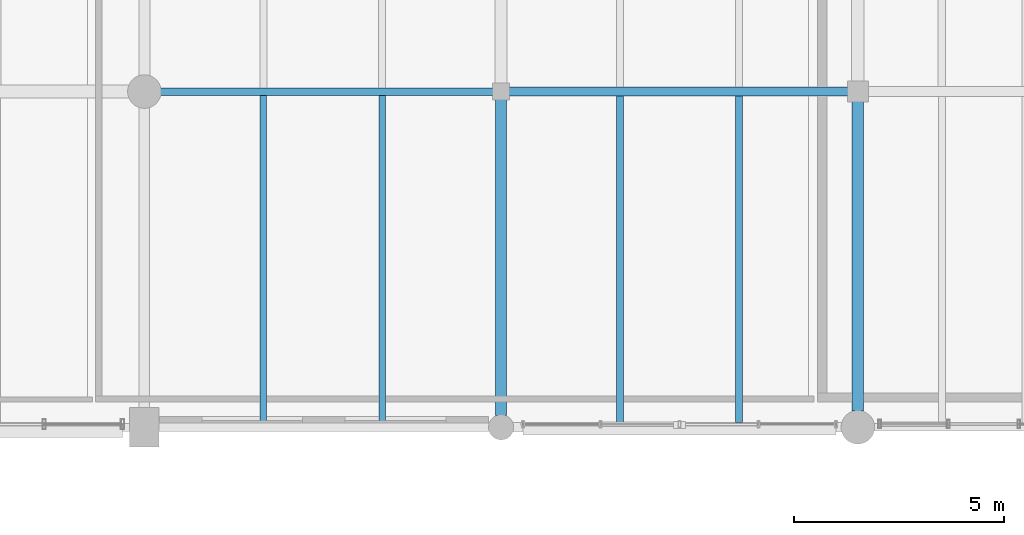
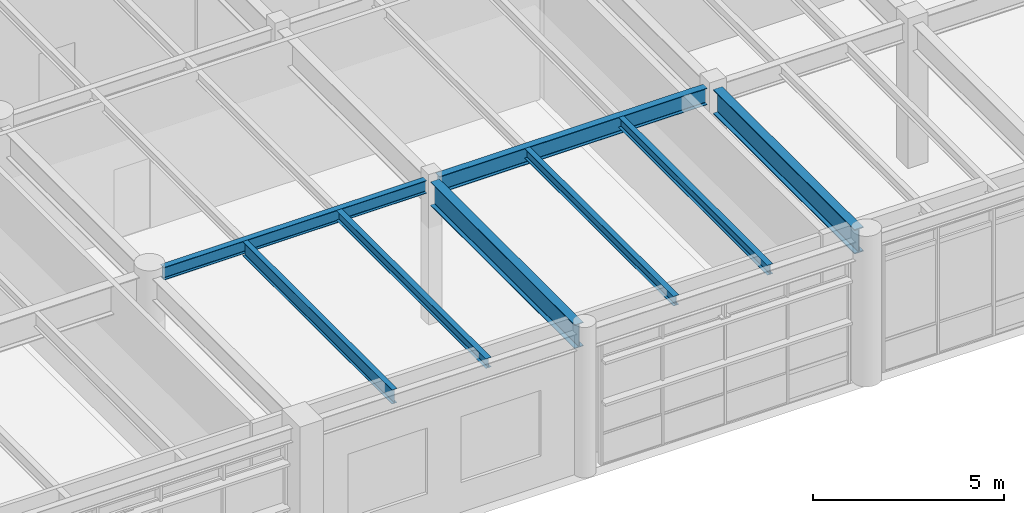
# One storey, part 139 of 200: 8 beams.
"""IFC4 building model written with IfcOpenShell, lengths in metres."""

import ifcopenshell
import ifcopenshell.guid

model = None  # the IFC model being written
_history = None  # IfcOwnerHistory: only IFC2X3 demands one
_inside = {}  # id of a spatial element -> (the spatial element, [elements in it])
_under = {}  # id of a project, library or spatial element -> (it, [spatial elements below it])
_declared = {}  # id of a project -> (the project, [libraries it declares])
_typed = {}  # id of a type object -> (the type object, [elements of that type])
_made_of = {}  # id of a material, layer set ... -> (it, [elements and type objects made of it])


def new_model(schema):
    """Start an empty IFC model of exactly this schema.

    Asked for "IFC4X3", IfcOpenShell would pick the latest addendum, in which some entities
    have other attributes; the version numbers below select the first issue.
    IFC2X3 requires an IfcOwnerHistory on every rooted entity: one is made here for all.
    """
    global model, _history
    if schema == "IFC4X3":
        model = ifcopenshell.file(schema_version=(4, 3, 0, 0))
    else:
        model = ifcopenshell.file(schema=schema)
    _inside.clear()
    _under.clear()
    _declared.clear()
    _typed.clear()
    _made_of.clear()
    _history = None
    if model.schema == "IFC2X3":
        org = make("IfcOrganization", Name="unknown")
        user = make(
            "IfcPersonAndOrganization",
            ThePerson=make("IfcPerson", FamilyName="unknown"),
            TheOrganization=org,
        )
        app = make(
            "IfcApplication",
            ApplicationDeveloper=org,
            Version="unknown",
            ApplicationFullName="unknown",
            ApplicationIdentifier="unknown",
        )
        _history = make(
            "IfcOwnerHistory",
            OwningUser=user,
            OwningApplication=app,
            ChangeAction="ADDED",
            CreationDate=0,
        )
    return model


def make(cls, **values):
    """One entity of the class cls with the attributes given. An attribute that is None is left unset."""
    return model.create_entity(
        cls, **{name: value for name, value in values.items() if value is not None}
    )


def rooted(cls, **values):
    """An entity with a GlobalId (a new one), such as an element, a storey or a relation."""
    return make(cls, GlobalId=ifcopenshell.guid.new(), OwnerHistory=_history, **values)


def si_unit(unit_type, name, prefix=None):
    """IfcSIUnit, for example si_unit("LENGTHUNIT", "METRE", prefix="MILLI")."""
    return make("IfcSIUnit", UnitType=unit_type, Prefix=prefix, Name=name)


def assignment(units):
    """IfcUnitAssignment: the units of a project."""
    return None if units is None else make("IfcUnitAssignment", Units=units)


def point(xyz):
    """IfcCartesianPoint."""
    return None if xyz is None else make("IfcCartesianPoint", Coordinates=xyz)


def direction(xyz):
    """IfcDirection."""
    return None if xyz is None else make("IfcDirection", DirectionRatios=xyz)


def frame(location, z_axis=None, x_axis=None):
    """IfcAxis2Placement3D, a coordinate frame: its origin and axes. An axis left out is left unset."""
    return make(
        "IfcAxis2Placement3D",
        Location=point(location),
        Axis=direction(z_axis),
        RefDirection=direction(x_axis),
    )


def frame_2d(location, x_axis=None):
    """IfcAxis2Placement2D, a coordinate frame in the plane: its origin and x axis."""
    return make(
        "IfcAxis2Placement2D", Location=point(location), RefDirection=direction(x_axis)
    )


def origin():
    """The frame at (0, 0, 0) with its axes left unset."""
    return frame((0.0, 0.0, 0.0))


def origin_2d():
    """The frame at (0, 0) in the plane with its x axis left unset."""
    return frame_2d((0.0, 0.0))


def place(relative_to, where):
    """IfcLocalPlacement: puts the frame where relative to a parent placement (None: the world)."""
    return make(
        "IfcLocalPlacement", PlacementRelTo=relative_to, RelativePlacement=where
    )


def context(
    kind, dimensions, precision=None, world=None, true_north=None, identifier=None
):
    """IfcGeometricRepresentationContext, for example the 3D "Model" context."""
    return make(
        "IfcGeometricRepresentationContext",
        ContextIdentifier=identifier,
        ContextType=kind,
        CoordinateSpaceDimension=dimensions,
        Precision=precision,
        WorldCoordinateSystem=world,
        TrueNorth=true_north,
    )


def subcontext(parent, identifier, kind, view, scale=None):
    """IfcGeometricRepresentationSubContext, for example "Body" below "Model"."""
    return make(
        "IfcGeometricRepresentationSubContext",
        ContextIdentifier=identifier,
        ContextType=kind,
        ParentContext=parent,
        TargetScale=scale,
        TargetView=view,
    )


def project(units=None, contexts=None):
    """IfcProject with its units and contexts."""
    return rooted(
        "IfcProject",
        Name="project",
        RepresentationContexts=contexts,
        UnitsInContext=assignment(units),
    )


def spatial(cls, under=None, at=None, **own):
    """A site, building, storey or space (cls), placed at a placement, below another one or the project."""
    s = rooted(cls, ObjectPlacement=at, **own)
    if under is not None:
        _under.setdefault(under.id(), (under, []))[1].append(s)
    return s


def profile(cls, at=None, kind="AREA", **sizes):
    """A parametric profile (cls). Its sizes go by their IFC names, for example OverallWidth=200.0."""
    return make(cls, ProfileType=kind, Position=at, **sizes)


def i_section(**sizes):
    """IfcIShapeProfileDef."""
    return profile("IfcIShapeProfileDef", **sizes)


def extrude(swept, where, along, depth):
    """IfcExtrudedAreaSolid: the profile swept, set in the frame where, extruded along a direction by depth."""
    return make(
        "IfcExtrudedAreaSolid",
        SweptArea=swept,
        Position=where,
        ExtrudedDirection=direction(along),
        Depth=depth,
    )


def shape(context_of_items, identifier, shape_type, items):
    """IfcShapeRepresentation: the items that make up one representation, for example the "Body"."""
    return make(
        "IfcShapeRepresentation",
        ContextOfItems=context_of_items,
        RepresentationIdentifier=identifier,
        RepresentationType=shape_type,
        Items=items,
    )


def material(Name=None, Category=None):
    """IfcMaterial."""
    return make("IfcMaterial", Name=Name, Category=Category)


def material_profile(
    of_material, cross_section, Name=None, Category=None, Priority=None
):
    """IfcMaterialProfile: a cross section and its material."""
    return make(
        "IfcMaterialProfile",
        Name=Name,
        Material=of_material,
        Profile=cross_section,
        Priority=Priority,
        Category=Category,
    )


def profile_set(profiles, Name=None, composite=None):
    """IfcMaterialProfileSet."""
    return make(
        "IfcMaterialProfileSet",
        Name=Name,
        MaterialProfiles=profiles,
        CompositeProfile=composite,
    )


def made_of(thing, what):
    """Note that an element or type object is made of a material, layer set ...; save() writes the relation."""
    if what is not None:
        _made_of.setdefault(what.id(), (what, []))[1].append(thing)
    return thing


def type_object(cls, material=None, **own):
    """A type object (cls), such as IfcWallType, which elements share."""
    return made_of(rooted(cls, **own), material)


def element(
    cls,
    number,
    at=None,
    inside=None,
    cuts=None,
    type_object=None,
    material=None,
    context=None,
    identifier="Body",
    shape_type=None,
    held_by="IfcProductDefinitionShape",
    body=None,
    shapes=None,
    **own,
):
    """One element of the class cls, such as IfcWall. Its Tag is "e" and its number.

    at: its placement. inside: the storey or other place that contains it. cuts: it is an
    opening in that element (IfcRelVoidsElement). A single representation is given by context,
    identifier, shape_type and body (its items); several are given by shapes. held_by: the class
    of the entity that holds the representations. save() writes the other relations.
    """
    e = rooted(cls, Tag="e%d" % number, ObjectPlacement=at, **own)
    if body is not None:
        shapes = [shape(context, identifier, shape_type, body)]
    if shapes is not None:
        e.Representation = make(held_by, Representations=shapes)
    if inside is not None:
        _inside.setdefault(inside.id(), (inside, []))[1].append(e)
    if cuts is not None:
        rooted(
            "IfcRelVoidsElement", RelatingBuildingElement=cuts, RelatedOpeningElement=e
        )
    if type_object is not None:
        _typed.setdefault(type_object.id(), (type_object, []))[1].append(e)
    return made_of(e, material)


def aggregate(whole, parts):
    """IfcRelAggregates: a whole, such as a stair, and the parts it consists of."""
    return rooted("IfcRelAggregates", RelatingObject=whole, RelatedObjects=parts)


def save(model, path):
    """Write the relations noted so far, then the file.

    IfcRelAggregates (storeys below a building ...), IfcRelContainedInSpatialStructure (elements
    in a storey), IfcRelDefinesByType, IfcRelAssociatesMaterial and IfcRelDeclares: one each for
    every whole, place, type object, material and project.
    """
    for whole, parts in _under.values():
        aggregate(whole, parts)
    for where, things in _inside.values():
        rooted(
            "IfcRelContainedInSpatialStructure",
            RelatedElements=things,
            RelatingStructure=where,
        )
    for kind, things in _typed.values():
        rooted("IfcRelDefinesByType", RelatedObjects=things, RelatingType=kind)
    for what, things in _made_of.values():
        rooted("IfcRelAssociatesMaterial", RelatedObjects=things, RelatingMaterial=what)
    for by, libraries in _declared.values():
        rooted("IfcRelDeclares", RelatingContext=by, RelatedDefinitions=libraries)
    model.write(path)


model = new_model("IFC4")

# Units and contexts
model_context = context("Model", 3, precision=1e-05, world=origin(), true_north=direction((0.0, 1.0)))
body_context = subcontext(model_context, "Body", "Model", "MODEL_VIEW")
ifc_project = project(units=[si_unit("LENGTHUNIT", "METRE"), si_unit("AREAUNIT", "SQUARE_METRE"), si_unit("VOLUMEUNIT", "CUBIC_METRE"), si_unit("PLANEANGLEUNIT", "RADIAN"), si_unit("MASSUNIT", "GRAM", prefix="KILO"), si_unit("THERMODYNAMICTEMPERATUREUNIT", "KELVIN"), si_unit("POWERUNIT", "WATT")], contexts=[model_context])

# Site, building, storey
site_placement = place(None, origin())
site = spatial("IfcSite", under=ifc_project, at=site_placement, CompositionType="ELEMENT")
building_placement = place(site_placement, origin())
building = spatial("IfcBuilding", under=site, at=building_placement, Name="Tepalcoro Natatorium and Aquatics Centre", CompositionType="ELEMENT")
storey_placement = place(building_placement, frame((0.0, 0.0, 5.39990234375)))
storey = spatial("IfcBuildingStorey", under=building, at=storey_placement, Name="L01", CompositionType="ELEMENT", Elevation=5.39990234375)

# Beams
ifc_material = material(Name="Steel ASTM A992 Grade 50 (Fy 345 MPa)", Category="steel")
ifc_material_profile_1 = material_profile(ifc_material, i_section(OverallWidth=0.177978515625, OverallDepth=0.406005859375, WebThickness=0.008056640625, FlangeThickness=0.012939453125, FilletRadius=0.013916015625, at=origin_2d()), Name="W16X40")
ifc_profile_set_1 = profile_set([ifc_material_profile_1], Name="Steel ASTM A992 Grade 50 (Fy 345 MPa)")
beam_type_1 = type_object("IfcBeamType", Name="BM_W16x40", PredefinedType="BEAM", material=ifc_profile_set_1)
beam_1_placement = place(storey_placement, frame((142.385009765625, 94.0, 4.342041015625), z_axis=(1.0, 0.0, 0.0), x_axis=(0.0, 1.0, 0.0)))
element("IfcBeam", 1, at=beam_1_placement, inside=storey, type_object=beam_type_1, Name="V5 L01 Grid Girder X", PredefinedType="BEAM", context=body_context, shape_type="SweptSolid", body=[
    extrude(i_section(OverallWidth=0.177978515625, OverallDepth=0.406005859375, WebThickness=0.008056640625, FlangeThickness=0.012939453125, FilletRadius=0.013916015625, at=origin_2d()), origin(), (0.0, 0.0, 1.0), 7.929931640625),
])
ifc_material_profile_2 = material_profile(ifc_material, i_section(OverallWidth=0.2099609375, OverallDepth=0.532958984375, WebThickness=0.010009765625, FlangeThickness=0.01611328125, FilletRadius=0.013916015625, at=origin_2d()), Name="W21X62")
ifc_profile_set_2 = profile_set([ifc_material_profile_2], Name="Steel ASTM A992 Grade 50 (Fy 345 MPa)")
beam_type_2 = type_object("IfcBeamType", Name="BM_W21x62", PredefinedType="BEAM", material=ifc_profile_set_2)
beam_2_placement = place(storey_placement, frame((150.68505859375, 94.0, 4.278564453125), z_axis=(1.0, 0.0, 0.0), x_axis=(0.0, 1.0, 0.0)))
element("IfcBeam", 2, at=beam_2_placement, inside=storey, type_object=beam_type_2, Name="V5 L01 Grid Girder X", PredefinedType="BEAM", context=body_context, shape_type="SweptSolid", body=[
    extrude(i_section(OverallWidth=0.2099609375, OverallDepth=0.532958984375, WebThickness=0.010009765625, FlangeThickness=0.01611328125, FilletRadius=0.013916015625, at=origin_2d()), origin(), (0.0, 0.0, 1.0), 8.079833984375),
])
ifc_material_profile_3 = material_profile(ifc_material, i_section(OverallWidth=0.26708984375, OverallDepth=0.761962890625, WebThickness=0.013916015625, FlangeThickness=0.02197265625, FilletRadius=0.013916015625, at=origin_2d()), Name="W30X116")
ifc_profile_set_3 = profile_set([ifc_material_profile_3], Name="Steel ASTM A992 Grade 50 (Fy 345 MPa)")
beam_type_3 = type_object("IfcBeamType", Name="BM_W30x116", PredefinedType="BEAM", material=ifc_profile_set_3)
beam_3_placement = place(storey_placement, frame((150.5, 86.284912109375, 4.1640625), z_axis=(0.0, 1.0, 0.0), x_axis=(-1.0, 0.0, 0.0)))
element("IfcBeam", 3, at=beam_3_placement, inside=storey, type_object=beam_type_3, Name="V5 L01 Grid Girder Y", PredefinedType="BEAM", context=body_context, shape_type="SweptSolid", body=[
    extrude(i_section(OverallWidth=0.26708984375, OverallDepth=0.761962890625, WebThickness=0.013916015625, FlangeThickness=0.02197265625, FilletRadius=0.013916015625, at=origin_2d()), origin(), (0.0, 0.0, 1.0), 7.530029296875),
])
ifc_material_profile_4 = material_profile(ifc_material, i_section(OverallWidth=0.26708984375, OverallDepth=0.780029296875, WebThickness=0.01708984375, FlangeThickness=0.030029296875, FilletRadius=0.013916015625, at=origin_2d()), Name="W30X148")
ifc_profile_set_4 = profile_set([ifc_material_profile_4], Name="Steel ASTM A992 Grade 50 (Fy 345 MPa)")
beam_type_4 = type_object("IfcBeamType", Name="BM_W30x148", PredefinedType="BEAM", material=ifc_profile_set_4)
beam_4_placement = place(storey_placement, frame((159.0, 86.385009765625, 4.155029296875), z_axis=(0.0, 1.0, 0.0), x_axis=(-1.0, 0.0, 0.0)))
element("IfcBeam", 4, at=beam_4_placement, inside=storey, type_object=beam_type_4, Name="V5 L01 Grid Girder Y", PredefinedType="BEAM", context=body_context, shape_type="SweptSolid", body=[
    extrude(i_section(OverallWidth=0.26708984375, OverallDepth=0.780029296875, WebThickness=0.01708984375, FlangeThickness=0.030029296875, FilletRadius=0.013916015625, at=origin_2d()), origin(), (0.0, 0.0, 1.0), 7.3798828125),
])
ifc_material_profile_5 = material_profile(ifc_material, i_section(OverallWidth=0.1650390625, OverallDepth=0.31005859375, WebThickness=0.006103515625, FlangeThickness=0.010009765625, FilletRadius=0.013916015625, at=origin_2d()), Name="W12X26")
ifc_profile_set_5 = profile_set([ifc_material_profile_5], Name="Steel ASTM A992 Grade 50 (Fy 345 MPa)")
beam_type_5 = type_object("IfcBeamType", Name="JS_W12x26", PredefinedType="JOIST", material=ifc_profile_set_5)
beam_5_placement = place(storey_placement, frame((147.666748046875, 86.10498046875, 4.39013671875), z_axis=(0.0, 1.0, 0.0), x_axis=(-1.0, 0.0, 0.0)))
element("IfcBeam", 5, at=beam_5_placement, inside=storey, type_object=beam_type_5, Name="V5 L01 Floor Joist", PredefinedType="JOIST", context=body_context, shape_type="SweptSolid", body=[
    extrude(i_section(OverallWidth=0.1650390625, OverallDepth=0.31005859375, WebThickness=0.006103515625, FlangeThickness=0.010009765625, FilletRadius=0.013916015625, at=origin_2d()), origin(), (0.0, 0.0, 1.0), 7.805908203125),
])
beam_6_placement = place(storey_placement, frame((153.333251953125, 86.114501953125, 4.39013671875), z_axis=(0.0, 1.0, 0.0), x_axis=(-1.0, 0.0, 0.0)))
element("IfcBeam", 6, at=beam_6_placement, inside=storey, type_object=beam_type_5, Name="V5 L01 Floor Joist", PredefinedType="JOIST", context=body_context, shape_type="SweptSolid", body=[
    extrude(i_section(OverallWidth=0.1650390625, OverallDepth=0.31005859375, WebThickness=0.006103515625, FlangeThickness=0.010009765625, FilletRadius=0.013916015625, at=origin_2d()), origin(), (0.0, 0.0, 1.0), 7.780517578125),
])
ifc_material_profile_6 = material_profile(ifc_material, i_section(OverallWidth=0.1669921875, OverallDepth=0.318115234375, WebThickness=0.008056640625, FlangeThickness=0.012939453125, FilletRadius=0.013916015625, at=origin_2d()), Name="W12X35")
ifc_profile_set_6 = profile_set([ifc_material_profile_6], Name="Steel ASTM A992 Grade 50 (Fy 345 MPa)")
beam_type_6 = type_object("IfcBeamType", Name="JS_W12x35", PredefinedType="JOIST", material=ifc_profile_set_6)
beam_7_placement = place(storey_placement, frame((156.166748046875, 86.114501953125, 4.385986328125), z_axis=(0.0, 1.0, 0.0), x_axis=(-1.0, 0.0, 0.0)))
element("IfcBeam", 7, at=beam_7_placement, inside=storey, type_object=beam_type_6, Name="V5 L01 Floor Joist", PredefinedType="JOIST", context=body_context, shape_type="SweptSolid", body=[
    extrude(i_section(OverallWidth=0.1669921875, OverallDepth=0.318115234375, WebThickness=0.008056640625, FlangeThickness=0.012939453125, FilletRadius=0.013916015625, at=origin_2d()), origin(), (0.0, 0.0, 1.0), 7.780517578125),
])
ifc_material_profile_7 = material_profile(ifc_material, i_section(OverallWidth=0.153076171875, OverallDepth=0.455078125, WebThickness=0.008056640625, FlangeThickness=0.012939453125, FilletRadius=0.013916015625, at=origin_2d()), Name="W18X40")
ifc_profile_set_7 = profile_set([ifc_material_profile_7], Name="Steel ASTM A992 Grade 50 (Fy 345 MPa)")
beam_type_7 = type_object("IfcBeamType", Name="JS_W18x40", PredefinedType="JOIST", material=ifc_profile_set_7)
beam_8_placement = place(storey_placement, frame((144.833251953125, 86.10498046875, 4.317626953125), z_axis=(0.0, 1.0, 0.0), x_axis=(-1.0, 0.0, 0.0)))
element("IfcBeam", 8, at=beam_8_placement, inside=storey, type_object=beam_type_7, Name="V5 L01 Floor Joist", PredefinedType="JOIST", context=body_context, shape_type="SweptSolid", body=[
    extrude(i_section(OverallWidth=0.153076171875, OverallDepth=0.455078125, WebThickness=0.008056640625, FlangeThickness=0.012939453125, FilletRadius=0.013916015625, at=origin_2d()), origin(), (0.0, 0.0, 1.0), 7.805908203125),
])

save(model, "model.ifc")
